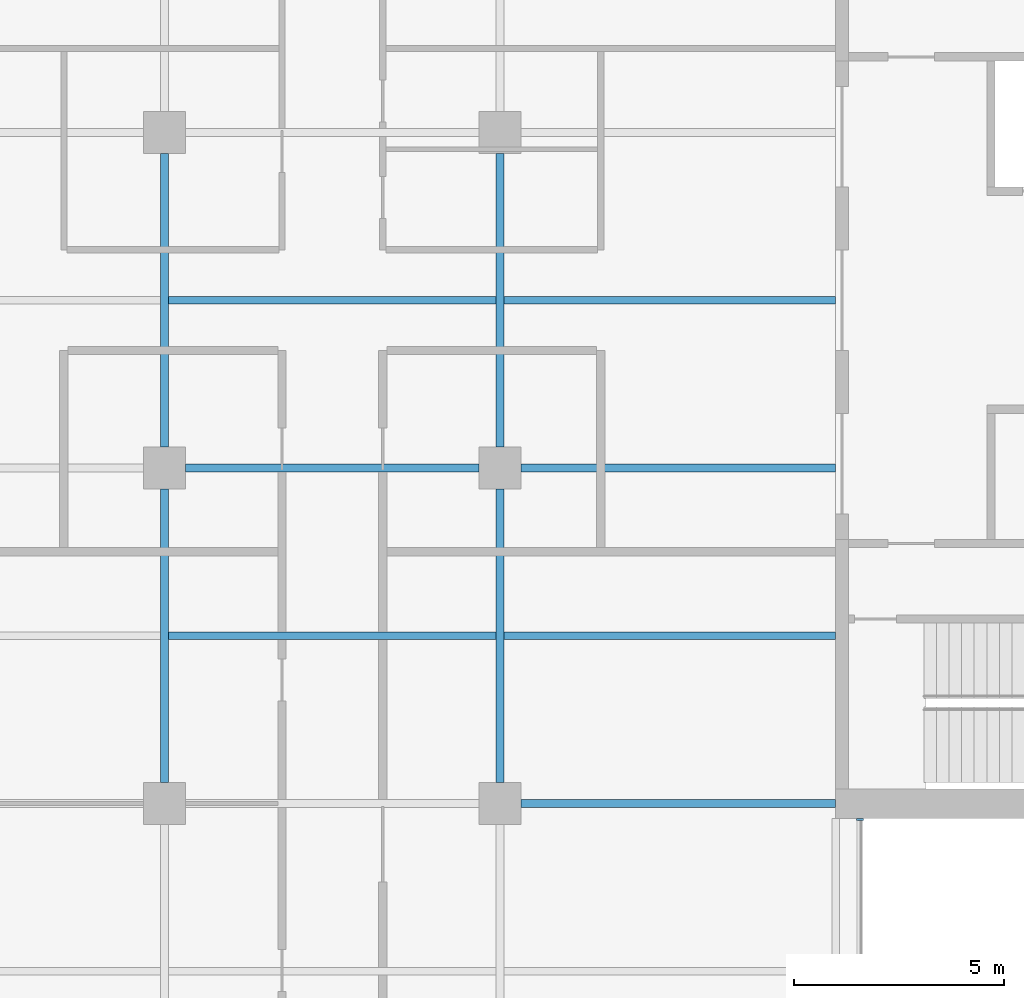
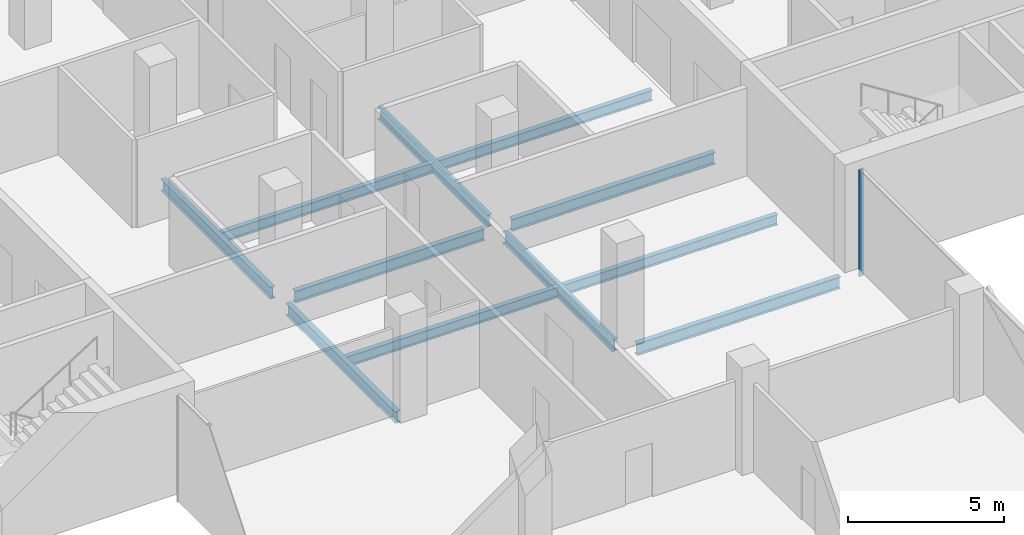
# One storey, part 6 of 22: 11 beams, 1 member, 1 element without a shape of its own.
"""IFC4 building model written with IfcOpenShell, lengths in metres."""

import ifcopenshell
import ifcopenshell.guid

model = None  # the IFC model being written
_history = None  # IfcOwnerHistory: only IFC2X3 demands one
_inside = {}  # id of a spatial element -> (the spatial element, [elements in it])
_under = {}  # id of a project, library or spatial element -> (it, [spatial elements below it])
_declared = {}  # id of a project -> (the project, [libraries it declares])
_typed = {}  # id of a type object -> (the type object, [elements of that type])
_made_of = {}  # id of a material, layer set ... -> (it, [elements and type objects made of it])


def new_model(schema):
    """Start an empty IFC model of exactly this schema.

    Asked for "IFC4X3", IfcOpenShell would pick the latest addendum, in which some entities
    have other attributes; the version numbers below select the first issue.
    IFC2X3 requires an IfcOwnerHistory on every rooted entity: one is made here for all.
    """
    global model, _history
    if schema == "IFC4X3":
        model = ifcopenshell.file(schema_version=(4, 3, 0, 0))
    else:
        model = ifcopenshell.file(schema=schema)
    _inside.clear()
    _under.clear()
    _declared.clear()
    _typed.clear()
    _made_of.clear()
    _history = None
    if model.schema == "IFC2X3":
        org = make("IfcOrganization", Name="unknown")
        user = make(
            "IfcPersonAndOrganization",
            ThePerson=make("IfcPerson", FamilyName="unknown"),
            TheOrganization=org,
        )
        app = make(
            "IfcApplication",
            ApplicationDeveloper=org,
            Version="unknown",
            ApplicationFullName="unknown",
            ApplicationIdentifier="unknown",
        )
        _history = make(
            "IfcOwnerHistory",
            OwningUser=user,
            OwningApplication=app,
            ChangeAction="ADDED",
            CreationDate=0,
        )
    return model


def make(cls, **values):
    """One entity of the class cls with the attributes given. An attribute that is None is left unset."""
    return model.create_entity(
        cls, **{name: value for name, value in values.items() if value is not None}
    )


def rooted(cls, **values):
    """An entity with a GlobalId (a new one), such as an element, a storey or a relation."""
    return make(cls, GlobalId=ifcopenshell.guid.new(), OwnerHistory=_history, **values)


def si_unit(unit_type, name, prefix=None):
    """IfcSIUnit, for example si_unit("LENGTHUNIT", "METRE", prefix="MILLI")."""
    return make("IfcSIUnit", UnitType=unit_type, Prefix=prefix, Name=name)


def assignment(units):
    """IfcUnitAssignment: the units of a project."""
    return None if units is None else make("IfcUnitAssignment", Units=units)


def point(xyz):
    """IfcCartesianPoint."""
    return None if xyz is None else make("IfcCartesianPoint", Coordinates=xyz)


def direction(xyz):
    """IfcDirection."""
    return None if xyz is None else make("IfcDirection", DirectionRatios=xyz)


def frame(location, z_axis=None, x_axis=None):
    """IfcAxis2Placement3D, a coordinate frame: its origin and axes. An axis left out is left unset."""
    return make(
        "IfcAxis2Placement3D",
        Location=point(location),
        Axis=direction(z_axis),
        RefDirection=direction(x_axis),
    )


def frame_2d(location, x_axis=None):
    """IfcAxis2Placement2D, a coordinate frame in the plane: its origin and x axis."""
    return make(
        "IfcAxis2Placement2D", Location=point(location), RefDirection=direction(x_axis)
    )


def origin():
    """The frame at (0, 0, 0) with its axes left unset."""
    return frame((0.0, 0.0, 0.0))


def origin_2d():
    """The frame at (0, 0) in the plane with its x axis left unset."""
    return frame_2d((0.0, 0.0))


def place(relative_to, where):
    """IfcLocalPlacement: puts the frame where relative to a parent placement (None: the world)."""
    return make(
        "IfcLocalPlacement", PlacementRelTo=relative_to, RelativePlacement=where
    )


def context(
    kind, dimensions, precision=None, world=None, true_north=None, identifier=None
):
    """IfcGeometricRepresentationContext, for example the 3D "Model" context."""
    return make(
        "IfcGeometricRepresentationContext",
        ContextIdentifier=identifier,
        ContextType=kind,
        CoordinateSpaceDimension=dimensions,
        Precision=precision,
        WorldCoordinateSystem=world,
        TrueNorth=true_north,
    )


def subcontext(parent, identifier, kind, view, scale=None):
    """IfcGeometricRepresentationSubContext, for example "Body" below "Model"."""
    return make(
        "IfcGeometricRepresentationSubContext",
        ContextIdentifier=identifier,
        ContextType=kind,
        ParentContext=parent,
        TargetScale=scale,
        TargetView=view,
    )


def project(units=None, contexts=None):
    """IfcProject with its units and contexts."""
    return rooted(
        "IfcProject",
        Name="project",
        RepresentationContexts=contexts,
        UnitsInContext=assignment(units),
    )


def spatial(cls, under=None, at=None, **own):
    """A site, building, storey or space (cls), placed at a placement, below another one or the project."""
    s = rooted(cls, ObjectPlacement=at, **own)
    if under is not None:
        _under.setdefault(under.id(), (under, []))[1].append(s)
    return s


def profile(cls, at=None, kind="AREA", **sizes):
    """A parametric profile (cls). Its sizes go by their IFC names, for example OverallWidth=200.0."""
    return make(cls, ProfileType=kind, Position=at, **sizes)


def rectangle(**sizes):
    """IfcRectangleProfileDef."""
    return profile("IfcRectangleProfileDef", **sizes)


def i_section(**sizes):
    """IfcIShapeProfileDef."""
    return profile("IfcIShapeProfileDef", **sizes)


def extrude(swept, where, along, depth):
    """IfcExtrudedAreaSolid: the profile swept, set in the frame where, extruded along a direction by depth."""
    return make(
        "IfcExtrudedAreaSolid",
        SweptArea=swept,
        Position=where,
        ExtrudedDirection=direction(along),
        Depth=depth,
    )


def shape(context_of_items, identifier, shape_type, items):
    """IfcShapeRepresentation: the items that make up one representation, for example the "Body"."""
    return make(
        "IfcShapeRepresentation",
        ContextOfItems=context_of_items,
        RepresentationIdentifier=identifier,
        RepresentationType=shape_type,
        Items=items,
    )


def material(Name=None, Category=None):
    """IfcMaterial."""
    return make("IfcMaterial", Name=Name, Category=Category)


def material_profile(
    of_material, cross_section, Name=None, Category=None, Priority=None
):
    """IfcMaterialProfile: a cross section and its material."""
    return make(
        "IfcMaterialProfile",
        Name=Name,
        Material=of_material,
        Profile=cross_section,
        Priority=Priority,
        Category=Category,
    )


def profile_set(profiles, Name=None, composite=None):
    """IfcMaterialProfileSet."""
    return make(
        "IfcMaterialProfileSet",
        Name=Name,
        MaterialProfiles=profiles,
        CompositeProfile=composite,
    )


def made_of(thing, what):
    """Note that an element or type object is made of a material, layer set ...; save() writes the relation."""
    if what is not None:
        _made_of.setdefault(what.id(), (what, []))[1].append(thing)
    return thing


def type_object(cls, material=None, **own):
    """A type object (cls), such as IfcWallType, which elements share."""
    return made_of(rooted(cls, **own), material)


def element(
    cls,
    number,
    at=None,
    inside=None,
    cuts=None,
    type_object=None,
    material=None,
    context=None,
    identifier="Body",
    shape_type=None,
    held_by="IfcProductDefinitionShape",
    body=None,
    shapes=None,
    **own,
):
    """One element of the class cls, such as IfcWall. Its Tag is "e" and its number.

    at: its placement. inside: the storey or other place that contains it. cuts: it is an
    opening in that element (IfcRelVoidsElement). A single representation is given by context,
    identifier, shape_type and body (its items); several are given by shapes. held_by: the class
    of the entity that holds the representations. save() writes the other relations.
    """
    e = rooted(cls, Tag="e%d" % number, ObjectPlacement=at, **own)
    if body is not None:
        shapes = [shape(context, identifier, shape_type, body)]
    if shapes is not None:
        e.Representation = make(held_by, Representations=shapes)
    if inside is not None:
        _inside.setdefault(inside.id(), (inside, []))[1].append(e)
    if cuts is not None:
        rooted(
            "IfcRelVoidsElement", RelatingBuildingElement=cuts, RelatedOpeningElement=e
        )
    if type_object is not None:
        _typed.setdefault(type_object.id(), (type_object, []))[1].append(e)
    return made_of(e, material)


def aggregate(whole, parts):
    """IfcRelAggregates: a whole, such as a stair, and the parts it consists of."""
    return rooted("IfcRelAggregates", RelatingObject=whole, RelatedObjects=parts)


def save(model, path):
    """Write the relations noted so far, then the file.

    IfcRelAggregates (storeys below a building ...), IfcRelContainedInSpatialStructure (elements
    in a storey), IfcRelDefinesByType, IfcRelAssociatesMaterial and IfcRelDeclares: one each for
    every whole, place, type object, material and project.
    """
    for whole, parts in _under.values():
        aggregate(whole, parts)
    for where, things in _inside.values():
        rooted(
            "IfcRelContainedInSpatialStructure",
            RelatedElements=things,
            RelatingStructure=where,
        )
    for kind, things in _typed.values():
        rooted("IfcRelDefinesByType", RelatedObjects=things, RelatingType=kind)
    for what, things in _made_of.values():
        rooted("IfcRelAssociatesMaterial", RelatedObjects=things, RelatingMaterial=what)
    for by, libraries in _declared.values():
        rooted("IfcRelDeclares", RelatingContext=by, RelatedDefinitions=libraries)
    model.write(path)


model = new_model("IFC4")

# Units and contexts
model_context = context("Model", 3, precision=1e-05, world=origin(), true_north=direction((0.0, 1.0)))
body_context = subcontext(model_context, "Body", "Model", "MODEL_VIEW")
ifc_project = project(units=[si_unit("LENGTHUNIT", "METRE"), si_unit("AREAUNIT", "SQUARE_METRE"), si_unit("VOLUMEUNIT", "CUBIC_METRE"), si_unit("PLANEANGLEUNIT", "RADIAN"), si_unit("MASSUNIT", "GRAM", prefix="KILO")], contexts=[model_context])

# Site, building, storey
site_placement = place(None, origin())
site = spatial("IfcSite", under=ifc_project, at=site_placement, CompositionType="ELEMENT")
building_placement = place(site_placement, origin())
building = spatial("IfcBuilding", under=site, at=building_placement, Name="Crosswind Convention Tower", CompositionType="ELEMENT")
storey_placement = place(building_placement, frame((0.0, 0.0, 150.5)))
storey = spatial("IfcBuildingStorey", under=building, at=storey_placement, Name="L31", CompositionType="ELEMENT", Elevation=150.5)

# Beams
ifc_material_1 = material(Name="Steel S355", Category="steel")
ifc_material_profile_1 = material_profile(ifc_material_1, i_section(OverallWidth=0.19140625, OverallDepth=0.460205078125, WebThickness=0.010009765625, FlangeThickness=0.01611328125, FilletRadius=0.01025390625, at=origin_2d()), Name="UB 457x191x82")
ifc_profile_set_1 = profile_set([ifc_material_profile_1], Name="Steel S355")
beam_type_1 = type_object("IfcBeamType", Name="Girder UB 457x191x82", PredefinedType="BEAM", material=ifc_profile_set_1)
for number, where, z_axis, x_axis, name in (
    (1, (121.0, 88.5, -0.530029296875), (0.0, 1.0, 0.0), (-1.0, 0.0, 0.0), "B3 L31 girder 5"),
    (2, (121.0, 96.5, -0.530029296875), (0.0, 1.0, 0.0), (-1.0, 0.0, 0.0), "B3 L31 girder 6"),
    (3, (121.5, 96.0, -0.530029296875), (1.0, 0.0, 0.0), (0.0, 1.0, 0.0), "B3 L31 girder 12"),
    (4, (129.0, 88.5, -0.530029296875), (0.0, 1.0, 0.0), (-1.0, 0.0, 0.0), "B3 L31 girder 18"),
    (5, (129.0, 96.5, -0.530029296875), (0.0, 1.0, 0.0), (-1.0, 0.0, 0.0), "B3 L31 girder 19"),
):
    element("IfcBeam", number, at=place(storey_placement, frame(where, z_axis=z_axis, x_axis=x_axis)), inside=storey, type_object=beam_type_1, Name=name, PredefinedType="BEAM", context=body_context, shape_type="SweptSolid", body=[
        extrude(i_section(OverallWidth=0.19140625, OverallDepth=0.460205078125, WebThickness=0.010009765625, FlangeThickness=0.01611328125, FilletRadius=0.01025390625, at=origin_2d()), origin(), (0.0, 0.0, 1.0), 7.0),
    ])
ifc_material_profile_2 = material_profile(ifc_material_1, i_section(OverallWidth=0.19189453125, OverallDepth=0.463623046875, WebThickness=0.010498046875, FlangeThickness=0.017578125, FilletRadius=0.01025390625, at=origin_2d()), Name="UB 457x191x90")
ifc_profile_set_2 = profile_set([ifc_material_profile_2], Name="Steel S355")
beam_type_2 = type_object("IfcBeamType", Name="Girder at core wall UB 457x191x90", PredefinedType="BEAM", material=ifc_profile_set_2)
for number, where, z_axis, x_axis, name in (
    (6, (129.5, 88.0, -0.53173828125), (1.0, 0.0, 0.0), (0.0, 1.0, 0.0), "B24 L31 girder at core wall 7"),
    (7, (129.5, 96.0, -0.53173828125), (1.0, 0.0, 0.0), (0.0, 1.0, 0.0), "B24 L31 girder at core wall 8"),
):
    element("IfcBeam", number, at=place(storey_placement, frame(where, z_axis=z_axis, x_axis=x_axis)), inside=storey, type_object=beam_type_2, Name=name, PredefinedType="BEAM", context=body_context, shape_type="SweptSolid", body=[
        extrude(i_section(OverallWidth=0.19189453125, OverallDepth=0.463623046875, WebThickness=0.010498046875, FlangeThickness=0.017578125, FilletRadius=0.01025390625, at=origin_2d()), origin(), (0.0, 0.0, 1.0), 7.5),
    ])

# Curtain wall, member
ifc_material_2 = material(Name="Aluminium unitised curtain wall", Category="aluminium")
curtain_wall_type = type_object("IfcCurtainWallType", Name="CORE END SLOT WALL 160", PredefinedType="USERDEFINED", material=ifc_material_2)
curtain_wall_placement = place(storey_placement, origin())
curtain_wall = element("IfcCurtainWall", 8, at=curtain_wall_placement, inside=storey, type_object=curtain_wall_type, Name="CW6 L31 S-E.1-2 slot", ObjectType="UNITISED", PredefinedType="USERDEFINED")
ifc_material_3 = material(Name="Aluminium mullion", Category="aluminium")
ifc_material_profile_3 = material_profile(ifc_material_3, rectangle(XDim=0.159912109375, YDim=0.050048828125, at=origin_2d()), Name="AL 160X50")
ifc_profile_set_3 = profile_set([ifc_material_profile_3], Name="Aluminium mullion")
member_type = type_object("IfcMemberType", Name="MULLION 50X160", PredefinedType="MULLION", material=ifc_profile_set_3)
member_placement = place(storey_placement, frame((137.580078125, 87.625, -0.300048828125), z_axis=(0.0, 0.0, 1.0), x_axis=(1.0, 0.0, 0.0)))
member = element("IfcMember", 9, at=member_placement, type_object=member_type, Name="CW6 mullion 2", PredefinedType="MULLION", context=body_context, shape_type="SweptSolid", body=[
    extrude(rectangle(XDim=0.159912109375, YDim=0.050048828125, at=origin_2d()), origin(), (0.0, 0.0, 1.0), 4.150146484375),
])
aggregate(curtain_wall, [member])

# Beams
ifc_material_profile_4 = material_profile(ifc_material_1, i_section(OverallWidth=0.177734375, OverallDepth=0.406494140625, WebThickness=0.0078125, FlangeThickness=0.0126953125, FilletRadius=0.01025390625, at=origin_2d()), Name="UB 406x178x60")
ifc_profile_set_4 = profile_set([ifc_material_profile_4], Name="Steel S355")
beam_type_3 = type_object("IfcBeamType", Name="Secondary beam UB 406x178x60", PredefinedType="JOIST", material=ifc_profile_set_4)
for number, where, z_axis, x_axis, name in (
    (10, (121.095703125, 92.0, -0.503173828125), (1.0, 0.0, 0.0), (0.0, 1.0, 0.0), "B10 L31 secondary beam 13"),
    (11, (121.095703125, 100.0, -0.503173828125), (1.0, 0.0, 0.0), (0.0, 1.0, 0.0), "B10 L31 secondary beam 14"),
):
    element("IfcBeam", number, at=place(storey_placement, frame(where, z_axis=z_axis, x_axis=x_axis)), inside=storey, type_object=beam_type_3, Name=name, PredefinedType="JOIST", context=body_context, shape_type="SweptSolid", body=[
        extrude(i_section(OverallWidth=0.177734375, OverallDepth=0.406494140625, WebThickness=0.0078125, FlangeThickness=0.0126953125, FilletRadius=0.01025390625, at=origin_2d()), origin(), (0.0, 0.0, 1.0), 7.80859375),
    ])
for number, where, z_axis, x_axis, name in (
    (12, (129.095703125, 92.0, -0.503173828125), (1.0, 0.0, 0.0), (0.0, 1.0, 0.0), "B10 L31 secondary beam 20"),
    (13, (129.095703125, 100.0, -0.503173828125), (1.0, 0.0, 0.0), (0.0, 1.0, 0.0), "B10 L31 secondary beam 21"),
):
    element("IfcBeam", number, at=place(storey_placement, frame(where, z_axis=z_axis, x_axis=x_axis)), inside=storey, type_object=beam_type_3, Name=name, PredefinedType="JOIST", context=body_context, shape_type="SweptSolid", body=[
        extrude(i_section(OverallWidth=0.177734375, OverallDepth=0.406494140625, WebThickness=0.0078125, FlangeThickness=0.0126953125, FilletRadius=0.01025390625, at=origin_2d()), origin(), (0.0, 0.0, 1.0), 7.904296875),
    ])

save(model, "model.ifc")
